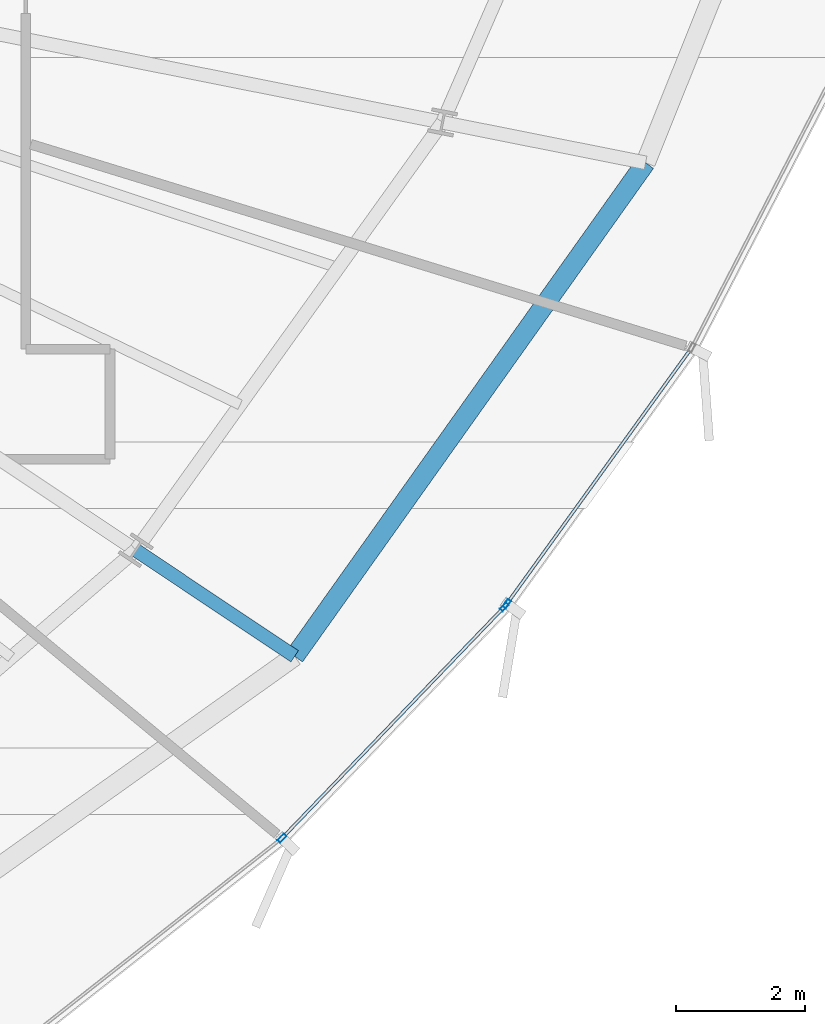
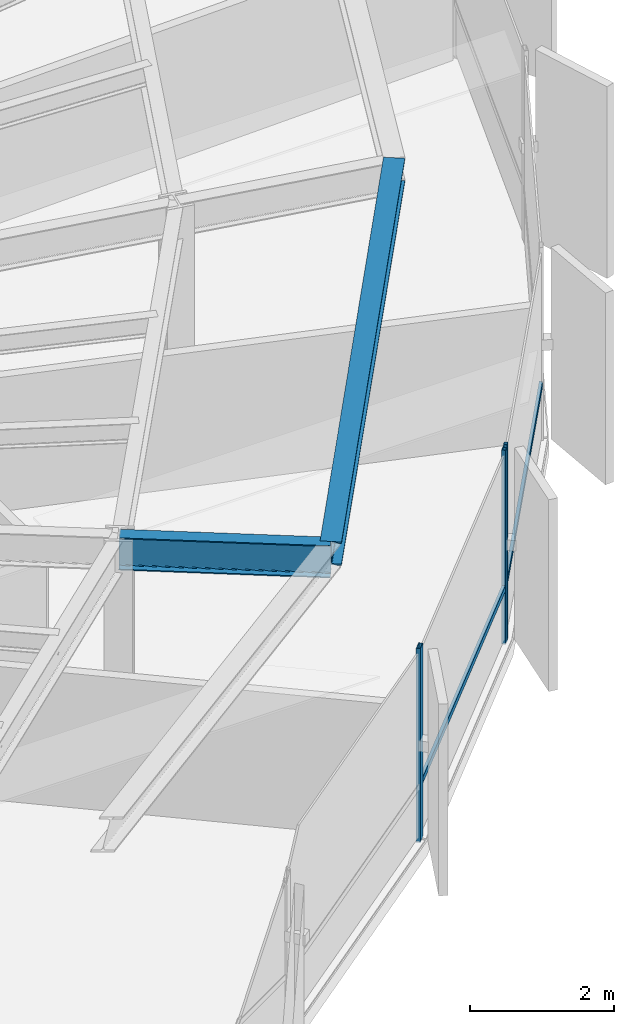
# One storey, part 14 of 35: 5 members, 2 beams, 2 elements without a shape of their own.
"""IFC4 building model written with IfcOpenShell, lengths in metres."""

from ifc_helpers import new_model, si_unit, direction, frame, origin, origin_2d, place, context, subcontext, project, spatial, hollow_rectangle, i_section, extrude, source, transform, mapped, material, layer, layer_set, material_profile, profile_set, type_object, element, aggregate, save


model = new_model("IFC4")

# Units and contexts
model_context = context("Model", 3, precision=1e-05, world=origin(), true_north=direction((0.0, 1.0)))
body_context = subcontext(model_context, "Body", "Model", "MODEL_VIEW")
ifc_project = project(units=[si_unit("LENGTHUNIT", "METRE"), si_unit("AREAUNIT", "SQUARE_METRE"), si_unit("VOLUMEUNIT", "CUBIC_METRE"), si_unit("PLANEANGLEUNIT", "RADIAN"), si_unit("MASSUNIT", "GRAM", prefix="KILO"), si_unit("THERMODYNAMICTEMPERATUREUNIT", "KELVIN")], contexts=[model_context])

# Site, building, storey
site_placement = place(None, origin())
site = spatial("IfcSite", under=ifc_project, at=site_placement, CompositionType="ELEMENT")
building_placement = place(site_placement, origin())
building = spatial("IfcBuilding", under=site, at=building_placement, Name="Kethvar Cultural Tower", CompositionType="ELEMENT")
storey_placement = place(building_placement, frame((0.0, 0.0, 139.449951171875)))
storey = spatial("IfcBuildingStorey", under=building, at=storey_placement, Name="L35", CompositionType="ELEMENT", Elevation=139.449951171875)

# Beams
ifc_material_1 = material(Name="Steel S355J2", Category="steel")
ifc_material_profile_1 = material_profile(ifc_material_1, i_section(OverallWidth=0.2099609375, OverallDepth=0.550048828125, WebThickness=0.010986328125, FlangeThickness=0.01708984375, FilletRadius=0.02392578125, at=origin_2d()), Name="Steel S355J2 — IPE550")
ifc_profile_set_1 = profile_set([ifc_material_profile_1], Name="Steel S355J2 — IPE550")
beam_type_1 = type_object("IfcBeamType", Name="BM-IPE550", PredefinedType="BEAM", material=ifc_profile_set_1)
shared_shape_1 = source(origin(), body_context, "Body", "SweptSolid", [
    extrude(i_section(OverallWidth=0.2099609375, OverallDepth=0.550048828125, WebThickness=0.010986328125, FlangeThickness=0.01708984375, FilletRadius=0.02392578125, at=origin_2d()), origin(), (0.0, 0.0, 1.0), 2.952392578125),
])
beam_1_placement = place(storey_placement, frame((62.898681640625, 17.043212890625, 3.02294921875), z_axis=(0.831490094599, -0.555539577873, 0.0), x_axis=(0.555539577873, 0.831490094599, 0.0)))
element("IfcBeam", 1, at=beam_1_placement, inside=storey, type_object=beam_type_1, Name="L35 Perimeter Cantilever Beam RC-15", PredefinedType="BEAM", context=body_context, shape_type="MappedRepresentation", body=[
    mapped(shared_shape_1, transform((0.0, 0.0, 0.0), scale=1.0)),
])
ifc_material_profile_2 = material_profile(ifc_material_1, i_section(OverallWidth=0.300048828125, OverallDepth=0.39990234375, WebThickness=0.013427734375, FlangeThickness=0.02392578125, FilletRadius=0.027099609375, at=origin_2d()), Name="Steel S355J2 — HEB400")
ifc_profile_set_2 = profile_set([ifc_material_profile_2], Name="Steel S355J2 — HEB400")
beam_type_2 = type_object("IfcBeamType", Name="BM-SP400", PredefinedType="SPANDREL", material=ifc_profile_set_2)
shared_shape_2 = source(origin(), body_context, "Body", "SweptSolid", [
    extrude(i_section(OverallWidth=0.300048828125, OverallDepth=0.39990234375, WebThickness=0.013427734375, FlangeThickness=0.02392578125, FilletRadius=0.027099609375, at=origin_2d()), origin(), (0.0, 0.0, 1.0), 9.359130859375),
])
beam_2_placement = place(storey_placement, frame((65.353515625, 15.403076171875, 3.09814453125), z_axis=(0.579497221089, 0.814974214776, 0.0), x_axis=(-0.814974214776, 0.579497221089, 0.0)))
element("IfcBeam", 2, at=beam_2_placement, inside=storey, type_object=beam_type_2, Name="L35 Perimeter Spandrel Beam SP-15", PredefinedType="SPANDREL", context=body_context, shape_type="MappedRepresentation", body=[
    mapped(shared_shape_2, transform((0.0, 0.0, 0.0), scale=1.0)),
])

# Curtain wall, members
ifc_material_2 = material(Name="Aluminium 6063-T6", Category="aluminium")
ifc_layer = layer(ifc_material_2, 0.179931640625, Name="Aluminium 6063-T6", Category="aluminium")
ifc_layer_set = layer_set([ifc_layer], Name="Aluminium 6063-T6 (180 mm)")
curtain_wall_type = type_object("IfcCurtainWallType", Name="CW-SYS-04-Z34", PredefinedType="NOTDEFINED", material=ifc_layer_set)
curtain_wall_1_placement = place(storey_placement, origin())
curtain_wall_1 = element("IfcCurtainWall", 3, at=curtain_wall_1_placement, inside=storey, type_object=curtain_wall_type, Name="L35 Curtain Wall Run 05", PredefinedType="NOTDEFINED")
ifc_material_profile_3 = material_profile(ifc_material_2, hollow_rectangle(XDim=0.06005859375, YDim=0.139892578125, WallThickness=0.0048828125, at=origin_2d()), Name="Aluminium 6063-T6 — RHS140x60x5")
ifc_profile_set_3 = profile_set([ifc_material_profile_3], Name="Aluminium 6063-T6 — RHS140x60x5")
member_type_1 = type_object("IfcMemberType", Name="CW-SYS-04-Z34-MUL", PredefinedType="MULLION", material=ifc_profile_set_3)
shared_shape_3 = source(origin(), body_context, "Body", "SweptSolid", [
    extrude(hollow_rectangle(XDim=0.06005859375, YDim=0.139892578125, WallThickness=0.0048828125, at=origin_2d()), origin(), (0.0, 0.0, 1.0), 3.300048828125),
])
member_1_placement = place(storey_placement, frame((65.156982421875, 12.591796875, 0.0), z_axis=(0.0, 0.0, 1.0), x_axis=(-0.720962457718, 0.692974122577, 0.0)))
member_1 = element("IfcMember", 4, at=member_1_placement, type_object=member_type_1, Name="CW-L35-R05 Mullion 6", PredefinedType="MULLION", context=body_context, shape_type="MappedRepresentation", body=[
    mapped(shared_shape_3, transform((0.0, 0.0, 0.0), scale=1.0)),
])
member_2_placement = place(storey_placement, frame((68.593017578125, 16.16650390625, 0.0), z_axis=(0.0, 0.0, 1.0), x_axis=(-0.720962457718, 0.692974122577, 0.0)))
member_2 = element("IfcMember", 5, at=member_2_placement, type_object=member_type_1, Name="CW-L35-R05 Mullion 7", PredefinedType="MULLION", context=body_context, shape_type="MappedRepresentation", body=[
    mapped(shared_shape_3, transform((0.0, 0.0, 0.0), scale=1.0)),
])

curtain_wall_2_placement = place(storey_placement, origin())
curtain_wall_2 = element("IfcCurtainWall", 6, at=curtain_wall_2_placement, inside=storey, type_object=curtain_wall_type, Name="L35 Curtain Wall Run 06", PredefinedType="NOTDEFINED")
member_3_placement = place(storey_placement, frame((68.6328125, 16.214599609375, 0.0), z_axis=(0.0, 0.0, 1.0), x_axis=(-0.810757424702, 0.585382266806, 0.0)))
member_3 = element("IfcMember", 7, at=member_3_placement, type_object=member_type_1, Name="CW-L35-R06 Mullion 1", PredefinedType="MULLION", context=body_context, shape_type="MappedRepresentation", body=[
    mapped(shared_shape_3, transform((0.0, 0.0, 0.0), scale=1.0)),
])
ifc_material_profile_4 = material_profile(ifc_material_2, hollow_rectangle(XDim=0.050048828125, YDim=0.10009765625, WallThickness=0.00390625, at=origin_2d()), Name="Aluminium 6063-T6 — RHS100x50x4")
ifc_profile_set_4 = profile_set([ifc_material_profile_4], Name="Aluminium 6063-T6 — RHS100x50x4")
member_type_2 = type_object("IfcMemberType", Name="CW-SYS-04-Z34-TRN", PredefinedType="USERDEFINED", material=ifc_profile_set_4)
shared_shape_4 = source(origin(), body_context, "Body", "SweptSolid", [
    extrude(hollow_rectangle(XDim=0.050048828125, YDim=0.10009765625, WallThickness=0.00390625, at=origin_2d()), origin(), (0.0, 0.0, 1.0), 4.850830078125),
])
member_4_placement = place(storey_placement, frame((68.63525390625, 16.218017578125, 0.949951171875), z_axis=(0.585382130955, 0.810757522789, 0.0), x_axis=(-0.810757522789, 0.585382130955, 0.0)))
member_4 = element("IfcMember", 8, at=member_4_placement, type_object=member_type_2, Name="CW-L35-R06 Transom 1", ObjectType="TRANSOM", PredefinedType="USERDEFINED", context=body_context, shape_type="MappedRepresentation", body=[
    mapped(shared_shape_4, transform((0.0, 0.0, 0.0), scale=1.0)),
])
aggregate(curtain_wall_2, [member_3, member_4])

# Member
shared_shape_5 = source(origin(), body_context, "Body", "SweptSolid", [
    extrude(hollow_rectangle(XDim=0.050048828125, YDim=0.10009765625, WallThickness=0.00390625, at=origin_2d()), origin(), (0.0, 0.0, 1.0), 4.910888671875),
])
member_5_placement = place(storey_placement, frame((65.186767578125, 12.623046875, 0.949951171875), z_axis=(0.692999423719, 0.720938137932, 0.0), x_axis=(-0.720938137932, 0.692999423719, 0.0)))
member_5 = element("IfcMember", 9, at=member_5_placement, type_object=member_type_2, Name="CW-L35-R05 Transom 6", ObjectType="TRANSOM", PredefinedType="USERDEFINED", context=body_context, shape_type="MappedRepresentation", body=[
    mapped(shared_shape_5, transform((0.0, 0.0, 0.0), scale=1.0)),
])

aggregate(curtain_wall_1, [member_1, member_2, member_5])

save(model, "model.ifc")
